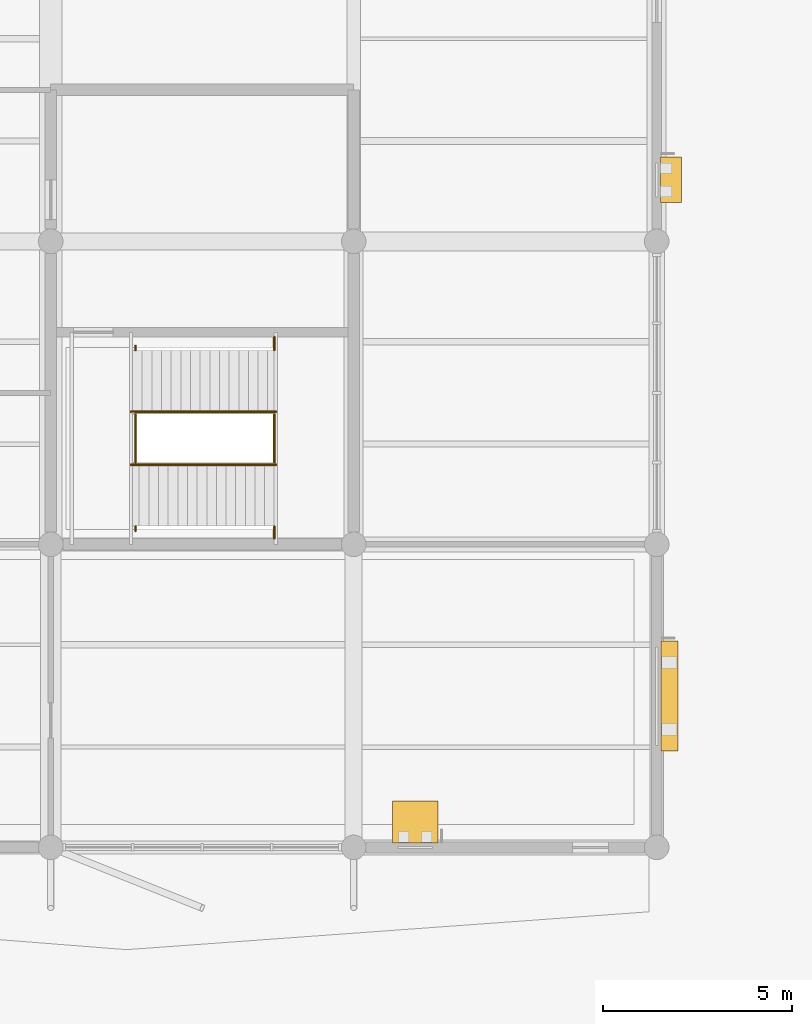
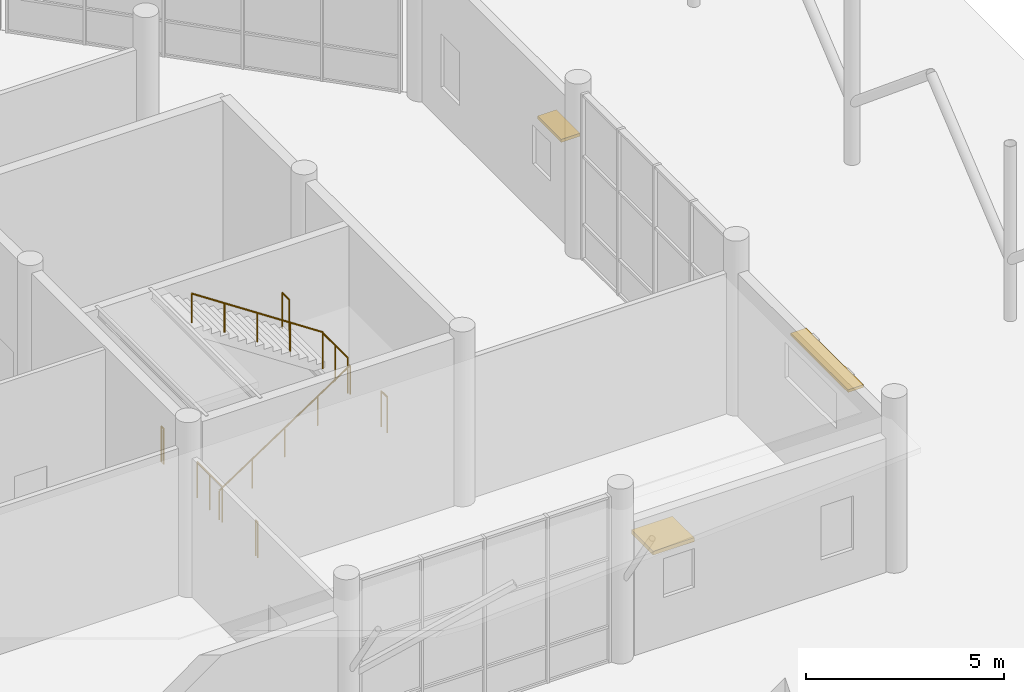
# One storey, part 122 of 123: 8 railings, 3 shading devices, 1 element without a shape of its own.
"""IFC4 building model written with IfcOpenShell, lengths in metres."""

from ifc_helpers import new_model, si_unit, direction, frame, origin, origin_2d, place, context, subcontext, project, spatial, rectangle, circle, extrude, material, layer, layer_set, type_object, element, aggregate, save


model = new_model("IFC4")

# Units and contexts
model_context = context("Model", 3, precision=1e-05, world=origin(), true_north=direction((0.0, 1.0)))
body_context = subcontext(model_context, "Body", "Model", "MODEL_VIEW")
ifc_project = project(units=[si_unit("LENGTHUNIT", "METRE"), si_unit("AREAUNIT", "SQUARE_METRE"), si_unit("VOLUMEUNIT", "CUBIC_METRE"), si_unit("PLANEANGLEUNIT", "RADIAN"), si_unit("MASSUNIT", "GRAM", prefix="KILO")], contexts=[model_context])

# Site, building, storey
site_placement = place(None, origin())
site = spatial("IfcSite", under=ifc_project, at=site_placement, CompositionType="ELEMENT")
building_placement = place(site_placement, origin())
building = spatial("IfcBuilding", under=site, at=building_placement, Name="Tenunan Teduh Sports Hall", CompositionType="ELEMENT")
storey_placement = place(building_placement, origin())
storey = spatial("IfcBuildingStorey", under=building, at=storey_placement, Name="L00", CompositionType="ELEMENT", Elevation=0.0)

# Railings
ifc_material_1 = material(Name="Galvanised and powder-coated steel", Category="steel")
ifc_layer_1 = layer(ifc_material_1, 0.070068359375)
ifc_layer_set_1 = layer_set([ifc_layer_1], Name="Galvanised and powder-coated steel")
railing_type_1 = type_object("IfcRailingType", Name="RLG-EXT-GRD", PredefinedType="GUARDRAIL", material=ifc_layer_set_1)
railing_1_placement = place(storey_placement, frame((148.239990234375, 96.169921875, 0.0)))
element("IfcRailing", 1, at=railing_1_placement, inside=storey, type_object=railing_type_1, Name="RLG-STW-WLND-E2-B1", PredefinedType="GUARDRAIL", context=body_context, shape_type="SweptSolid", body=[
    extrude(circle(Radius=0.02392578125, at=origin_2d()), frame((0.0, 0.0, 1.09619140625), z_axis=(0.0, 1.0, 0.0), x_axis=(-1.0, 0.0, 0.0)), (0.0, 0.0, 1.0), 1.260009765625),
    extrude(circle(Radius=0.02099609375, at=origin_2d()), origin(), (0.0, 0.0, 1.0), 1.072021484375),
    extrude(circle(Radius=0.02099609375, at=origin_2d()), frame((0.0, 0.6298828125, 0.0)), (0.0, 0.0, 1.0), 1.072021484375),
    extrude(circle(Radius=0.02099609375, at=origin_2d()), frame((0.0, 1.260009765625, 0.0)), (0.0, 0.0, 1.0), 1.072021484375),
])
railing_2_placement = place(storey_placement, frame((148.239990234375, 94.360107421875, 0.0)))
element("IfcRailing", 2, at=railing_2_placement, inside=storey, type_object=railing_type_1, Name="RLG-STW-WLNDS-E2-B1", PredefinedType="GUARDRAIL", context=body_context, shape_type="SweptSolid", body=[
    extrude(circle(Radius=0.02392578125, at=origin_2d()), frame((0.0, 0.0, 1.09619140625), z_axis=(0.0, 1.0, 0.0), x_axis=(-1.0, 0.0, 0.0)), (0.0, 0.0, 1.0), 0.10986328125),
    extrude(circle(Radius=0.02099609375, at=origin_2d()), origin(), (0.0, 0.0, 1.0), 1.072021484375),
    extrude(circle(Radius=0.02099609375, at=origin_2d()), frame((0.0, 0.10986328125, 0.0)), (0.0, 0.0, 1.0), 1.072021484375),
])
railing_3_placement = place(storey_placement, frame((148.239990234375, 99.1298828125, 0.0)))
element("IfcRailing", 3, at=railing_3_placement, inside=storey, type_object=railing_type_1, Name="RLG-STW-WLNDN-E2-B1", PredefinedType="GUARDRAIL", context=body_context, shape_type="SweptSolid", body=[
    extrude(circle(Radius=0.02392578125, at=origin_2d()), frame((0.0, 0.0, 1.09619140625), z_axis=(0.0, 1.0, 0.0), x_axis=(-1.0, 0.0, 0.0)), (0.0, 0.0, 1.0), 0.110107421875),
    extrude(circle(Radius=0.02099609375, at=origin_2d()), origin(), (0.0, 0.0, 1.0), 1.072021484375),
    extrude(circle(Radius=0.02099609375, at=origin_2d()), frame((0.0, 0.110107421875, 0.0)), (0.0, 0.0, 1.0), 1.072021484375),
])
railing_4_placement = place(storey_placement, frame((151.905029296875, 96.169921875, 2.699951171875)))
element("IfcRailing", 4, at=railing_4_placement, inside=storey, type_object=railing_type_1, Name="RLG-STW-MID-E2-L00", PredefinedType="GUARDRAIL", context=body_context, shape_type="SweptSolid", body=[
    extrude(circle(Radius=0.02392578125, at=origin_2d()), frame((0.0, 0.0, 1.09619140625), z_axis=(0.0, 1.0, 0.0), x_axis=(-1.0, 0.0, 0.0)), (0.0, 0.0, 1.0), 1.260009765625),
    extrude(circle(Radius=0.02099609375, at=origin_2d()), origin(), (0.0, 0.0, 1.0), 1.072021484375),
    extrude(circle(Radius=0.02099609375, at=origin_2d()), frame((0.0, 0.6298828125, 0.0)), (0.0, 0.0, 1.0), 1.072021484375),
    extrude(circle(Radius=0.02099609375, at=origin_2d()), frame((0.0, 1.260009765625, 0.0)), (0.0, 0.0, 1.0), 1.072021484375),
])
railing_5_placement = place(storey_placement, frame((151.905029296875, 94.159912109375, 2.699951171875)))
element("IfcRailing", 5, at=railing_5_placement, inside=storey, type_object=railing_type_1, Name="RLG-STW-MIDS-E2-L00", PredefinedType="GUARDRAIL", context=body_context, shape_type="SweptSolid", body=[
    extrude(circle(Radius=0.02392578125, at=origin_2d()), frame((0.0, 0.0, 1.09619140625), z_axis=(0.0, 1.0, 0.0), x_axis=(-1.0, 0.0, 0.0)), (0.0, 0.0, 1.0), 0.31005859375),
    extrude(circle(Radius=0.02099609375, at=origin_2d()), origin(), (0.0, 0.0, 1.0), 1.072021484375),
    extrude(circle(Radius=0.02099609375, at=origin_2d()), frame((0.0, 0.31005859375, 0.0)), (0.0, 0.0, 1.0), 1.072021484375),
])
railing_6_placement = place(storey_placement, frame((151.905029296875, 99.1298828125, 2.699951171875)))
element("IfcRailing", 6, at=railing_6_placement, inside=storey, type_object=railing_type_1, Name="RLG-STW-MIDN-E2-L00", PredefinedType="GUARDRAIL", context=body_context, shape_type="SweptSolid", body=[
    extrude(circle(Radius=0.02392578125, at=origin_2d()), frame((0.0, 0.0, 1.09619140625), z_axis=(0.0, 1.0, 0.0), x_axis=(-1.0, 0.0, 0.0)), (0.0, 0.0, 1.0), 0.340087890625),
    extrude(circle(Radius=0.02099609375, at=origin_2d()), origin(), (0.0, 0.0, 1.0), 1.072021484375),
    extrude(circle(Radius=0.02099609375, at=origin_2d()), frame((0.0, 0.340087890625, 0.0)), (0.0, 0.0, 1.0), 1.072021484375),
])

# Stair, railings
ifc_material_2 = material(Name="Precast concrete C40/50", Category="concrete")
stair_type = type_object("IfcStairType", Name="STR-CORE-42", PredefinedType="HALF_TURN_STAIR", material=ifc_material_2)
stair_placement = place(storey_placement, origin())
stair = element("IfcStair", 7, at=stair_placement, inside=storey, type_object=stair_type, Name="STR-E2-L00", PredefinedType="HALF_TURN_STAIR")
ifc_material_3 = material(Name="Brushed stainless steel", Category="steel")
ifc_layer_2 = layer(ifc_material_3, 0.050048828125)
ifc_layer_set_2 = layer_set([ifc_layer_2], Name="Brushed stainless steel")
railing_type_2 = type_object("IfcRailingType", Name="RLG-STAIR-HR", PredefinedType="HANDRAIL", material=ifc_layer_set_2)
railing_7_placement = place(storey_placement, frame((148.1201171875, 96.10009765625, 0.168701171875)))
railing_7 = element("IfcRailing", 8, at=railing_7_placement, type_object=railing_type_2, Name="STR-E2-L00-HR1", PredefinedType="HANDRAIL", context=body_context, shape_type="SweptSolid", body=[
    extrude(circle(Radius=0.02392578125, at=origin_2d()), frame((0.0, 0.0, 0.89599609375), z_axis=(0.833928963496, 0.0, 0.551871800187), x_axis=(0.0, 1.0, 0.0)), (0.0, 0.0, 1.0), 4.586669921875),
    extrude(circle(Radius=0.02099609375, at=origin_2d()), origin(), (0.0, 0.0, 1.0), 0.871826171875),
    extrude(circle(Radius=0.02099609375, at=origin_2d()), frame((0.956298828125, 0.0, 0.6328125)), (0.0, 0.0, 1.0), 0.871826171875),
    extrude(circle(Radius=0.02099609375, at=origin_2d()), frame((1.91259765625, 0.0, 1.265625)), (0.0, 0.0, 1.0), 0.871826171875),
    extrude(circle(Radius=0.02099609375, at=origin_2d()), frame((2.86865234375, 0.0, 1.8984375)), (0.0, 0.0, 1.0), 0.871826171875),
    extrude(circle(Radius=0.02099609375, at=origin_2d()), frame((3.824951171875, 0.0, 2.53125)), (0.0, 0.0, 1.0), 0.871826171875),
])
railing_8_placement = place(storey_placement, frame((151.945068359375, 97.5, 2.86865234375)))
railing_8 = element("IfcRailing", 9, at=railing_8_placement, type_object=railing_type_2, Name="STR-E2-L00-HR2", PredefinedType="HANDRAIL", context=body_context, shape_type="SweptSolid", body=[
    extrude(circle(Radius=0.02392578125, at=origin_2d()), frame((0.0, 0.0, 0.89599609375), z_axis=(-0.833928963496, 0.0, 0.551871800187), x_axis=(0.0, -1.0, 0.0)), (0.0, 0.0, 1.0), 4.586669921875),
    extrude(circle(Radius=0.02099609375, at=origin_2d()), origin(), (0.0, 0.0, 1.0), 0.871826171875),
    extrude(circle(Radius=0.02099609375, at=origin_2d()), frame((-0.956298828125, 0.0, 0.6328125)), (0.0, 0.0, 1.0), 0.871826171875),
    extrude(circle(Radius=0.02099609375, at=origin_2d()), frame((-1.91259765625, 0.0, 1.265625)), (0.0, 0.0, 1.0), 0.871826171875),
    extrude(circle(Radius=0.02099609375, at=origin_2d()), frame((-2.86865234375, 0.0, 1.8984375)), (0.0, 0.0, 1.0), 0.871826171875),
    extrude(circle(Radius=0.02099609375, at=origin_2d()), frame((-3.824951171875, 0.0, 2.53125)), (0.0, 0.0, 1.0), 0.871826171875),
])
aggregate(stair, [railing_7, railing_8])

# Shading devices
ifc_material_4 = material(Name="Perforated anodised aluminium", Category="aluminium")
shading_device_type_1 = type_object("IfcShadingDeviceType", Name="SHD-LOUVRE-1", PredefinedType="AWNING", material=ifc_material_4)
shading_device_1_placement = place(storey_placement, frame((162.340087890625, 89.9951171875, 3.77001953125), z_axis=(0.0, 0.0, 1.0), x_axis=(0.0, 1.0, 0.0)))
element("IfcShadingDevice", 10, at=shading_device_1_placement, inside=storey, type_object=shading_device_type_1, Name="SHD-L00-075", PredefinedType="AWNING", context=body_context, shape_type="SweptSolid", body=[
    extrude(rectangle(XDim=2.89990234375, YDim=0.449951171875, at=origin_2d()), origin(), (0.0, 0.0, 1.0), 0.080078125),
])
ifc_material_5 = material(Name="Perforated anodised aluminium", Category="aluminium")
shading_device_type_2 = type_object("IfcShadingDeviceType", Name="SHD-LOUVRE-2", PredefinedType="SHUTTER", material=ifc_material_5)
shading_device_2_placement = place(storey_placement, frame((162.375, 103.625, 2.71484375), z_axis=(0.0, 0.0, 1.0), x_axis=(0.0, 1.0, 0.0)))
element("IfcShadingDevice", 11, at=shading_device_2_placement, inside=storey, type_object=shading_device_type_2, Name="SHD-L00-076", PredefinedType="SHUTTER", context=body_context, shape_type="SweptSolid", body=[
    extrude(rectangle(XDim=1.199951171875, YDim=0.550048828125, at=origin_2d()), origin(), (0.0, 0.0, 1.0), 0.090087890625),
])
ifc_material_6 = material(Name="Perforated anodised aluminium", Category="aluminium")
shading_device_type_3 = type_object("IfcShadingDeviceType", Name="SHD-SUNSHADE-1", PredefinedType="JALOUSIE", material=ifc_material_6)
shading_device_3_placement = place(storey_placement, frame((155.625, 86.669921875, 2.699951171875), z_axis=(0.0, 0.0, 1.0), x_axis=(1.0, 0.0, 0.0)))
element("IfcShadingDevice", 12, at=shading_device_3_placement, inside=storey, type_object=shading_device_type_3, Name="SHD-L00-074", PredefinedType="JALOUSIE", context=body_context, shape_type="SweptSolid", body=[
    extrude(rectangle(XDim=1.199951171875, YDim=1.10009765625, at=origin_2d()), origin(), (0.0, 0.0, 1.0), 0.1201171875),
])

save(model, "model.ifc")
